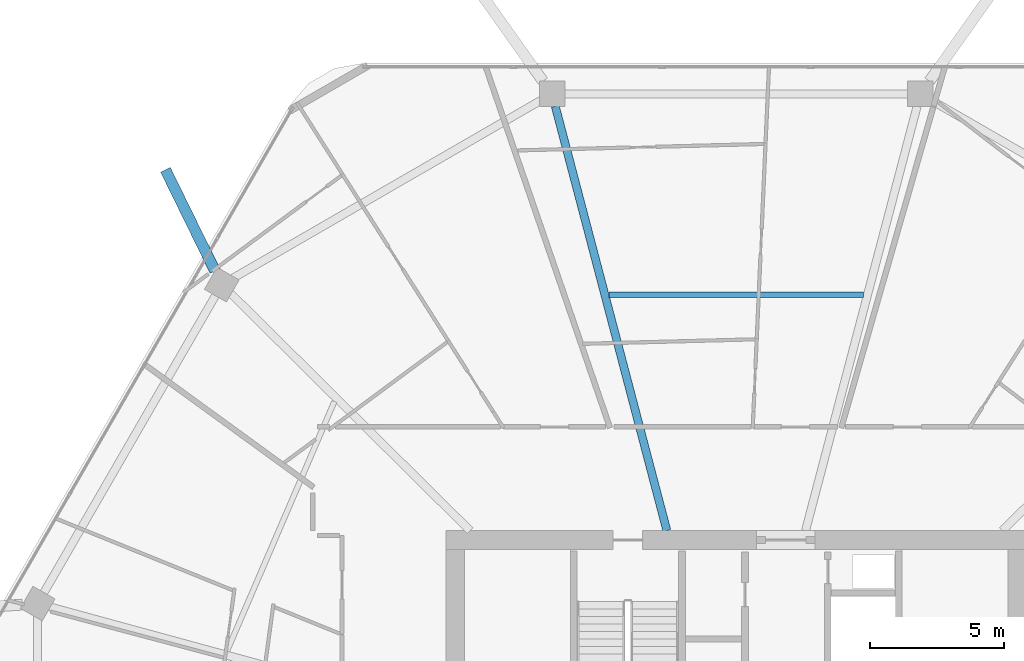
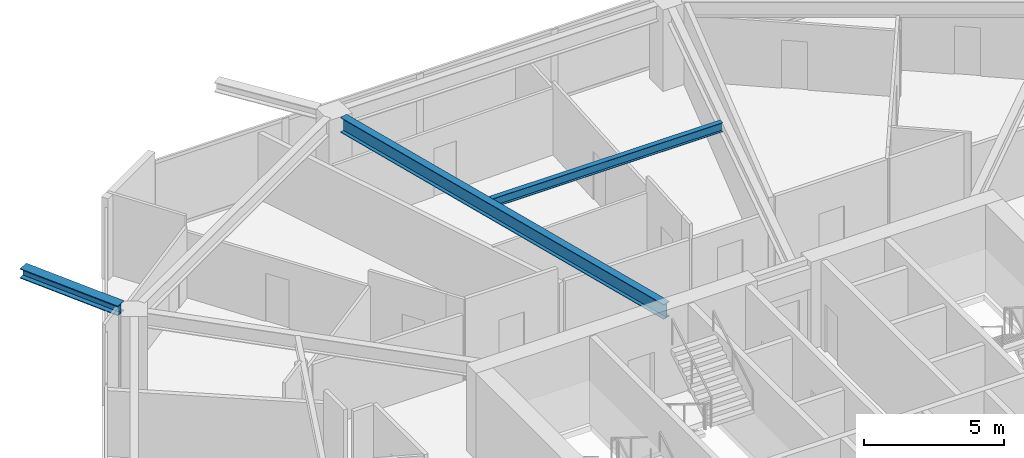
# One storey, part 12 of 26: 3 beams.
"""IFC4 building model written with IfcOpenShell, lengths in metres."""

from ifc_helpers import new_model, si_unit, direction, frame, origin, origin_2d, place, context, subcontext, project, spatial, i_section, extrude, material, material_profile, profile_set, type_object, element, save


model = new_model("IFC4")

# Units and contexts
model_context = context("Model", 3, precision=1e-05, world=origin(), true_north=direction((0.0, 1.0)))
body_context = subcontext(model_context, "Body", "Model", "MODEL_VIEW")
ifc_project = project(units=[si_unit("LENGTHUNIT", "METRE"), si_unit("AREAUNIT", "SQUARE_METRE"), si_unit("VOLUMEUNIT", "CUBIC_METRE"), si_unit("PLANEANGLEUNIT", "RADIAN"), si_unit("MASSUNIT", "GRAM", prefix="KILO")], contexts=[model_context])

# Site, building, storey
site_placement = place(None, origin())
site = spatial("IfcSite", under=ifc_project, at=site_placement, CompositionType="ELEMENT")
building_placement = place(site_placement, origin())
building = spatial("IfcBuilding", under=site, at=building_placement, Name="Zuhravey Tower", CompositionType="ELEMENT")
storey_placement = place(building_placement, frame((0.0, 0.0, 203.60009765625)))
storey = spatial("IfcBuildingStorey", under=building, at=storey_placement, Name="L51", CompositionType="ELEMENT", Elevation=203.60009765625)

# Beams
ifc_material_1 = material(Name="Steel SM460", Category="steel")
ifc_material_profile_1 = material_profile(ifc_material_1, i_section(OverallWidth=0.406982421875, OverallDepth=0.427978515625, WebThickness=0.02001953125, FlangeThickness=0.034912109375, at=origin_2d()), Name="H-428x407x20x35")
ifc_profile_set_1 = profile_set([ifc_material_profile_1], Name="Steel SM460")
beam_type_1 = type_object("IfcBeamType", Name="Exoskeleton Node Tie Beam H428x407", PredefinedType="BEAM", material=ifc_profile_set_1)
beam_1_placement = place(storey_placement, frame((16.520751953125, 51.56396484375, 3.3359375), z_axis=(-0.440182929232, 0.897908118246, 0.0), x_axis=(-0.897908118246, -0.440182929232, 0.0)))
element("IfcBeam", 1, at=beam_1_placement, inside=storey, type_object=beam_type_1, Name="L51 Exoskeleton Node Tie NT1-05", PredefinedType="BEAM", context=body_context, shape_type="SweptSolid", body=[
    extrude(i_section(OverallWidth=0.406982421875, OverallDepth=0.427978515625, WebThickness=0.02001953125, FlangeThickness=0.034912109375, at=origin_2d()), origin(), (0.0, 0.0, 1.0), 4.203125),
])
ifc_material_2 = material(Name="Steel SM355", Category="steel")
ifc_material_profile_2 = material_profile(ifc_material_2, i_section(OverallWidth=0.300048828125, OverallDepth=0.64990234375, WebThickness=0.012939453125, FlangeThickness=0.02197265625, at=origin_2d()), Name="H-650x300x13x22")
ifc_profile_set_2 = profile_set([ifc_material_profile_2], Name="Steel SM355")
beam_type_2 = type_object("IfcBeamType", Name="Radial Primary Girder H650x300", PredefinedType="BEAM", material=ifc_profile_set_2)
beam_2_placement = place(storey_placement, frame((33.4091796875, 41.85302734375, 3.224853515625), z_axis=(-0.254299806285, 0.967125435775, 0.0), x_axis=(-0.967125435775, -0.254299806285, 0.0)))
element("IfcBeam", 2, at=beam_2_placement, inside=storey, type_object=beam_type_2, Name="L51 RG2 BM-L51-RAD-04", PredefinedType="BEAM", context=body_context, shape_type="SweptSolid", body=[
    extrude(i_section(OverallWidth=0.300048828125, OverallDepth=0.64990234375, WebThickness=0.012939453125, FlangeThickness=0.02197265625, at=origin_2d()), origin(), (0.0, 0.0, 1.0), 16.396728515625),
])
ifc_material_profile_3 = material_profile(ifc_material_2, i_section(OverallWidth=0.199951171875, OverallDepth=0.39990234375, WebThickness=0.008056640625, FlangeThickness=0.012939453125, at=origin_2d()), Name="H-400x200x8x13")
ifc_profile_set_3 = profile_set([ifc_material_profile_3], Name="Steel SM355")
beam_type_3 = type_object("IfcBeamType", Name="Secondary Floor Joist H400x200", PredefinedType="JOIST", material=ifc_profile_set_3)
beam_3_placement = place(storey_placement, frame((40.754150390625, 50.665771484375, 3.349853515625), z_axis=(-1.0, 0.0, 0.0), x_axis=(0.0, -1.0, 0.0)))
element("IfcBeam", 3, at=beam_3_placement, inside=storey, type_object=beam_type_3, Name="L51 SJ2 BM-L51-SJ-03-1", PredefinedType="JOIST", context=body_context, shape_type="SweptSolid", body=[
    extrude(i_section(OverallWidth=0.199951171875, OverallDepth=0.39990234375, WebThickness=0.008056640625, FlangeThickness=0.012939453125, at=origin_2d()), origin(), (0.0, 0.0, 1.0), 9.50830078125),
])

save(model, "model.ifc")
